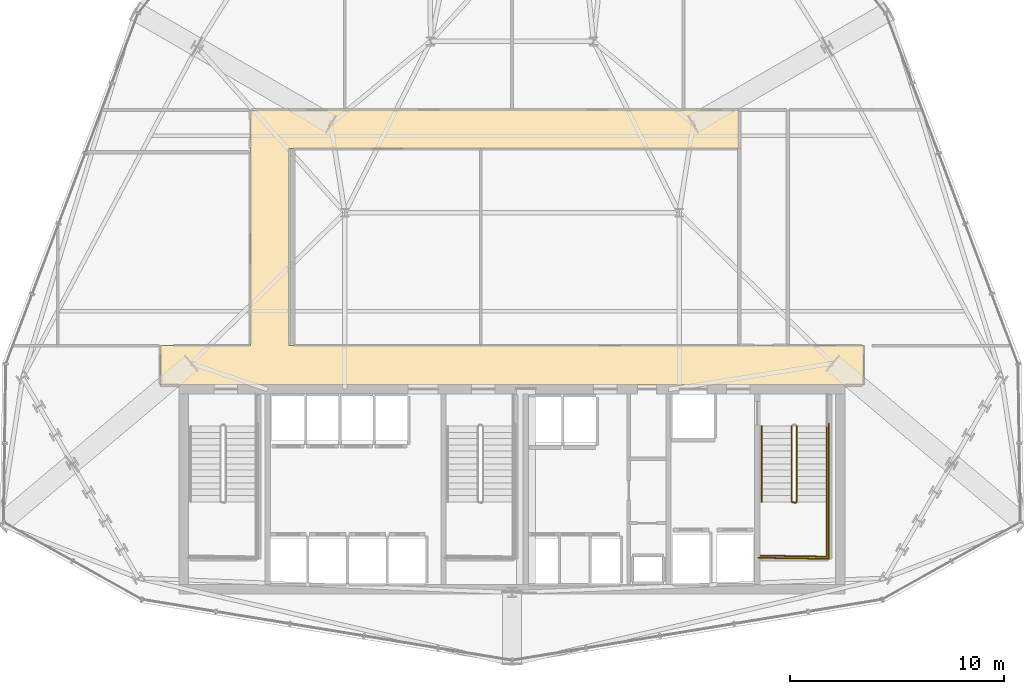
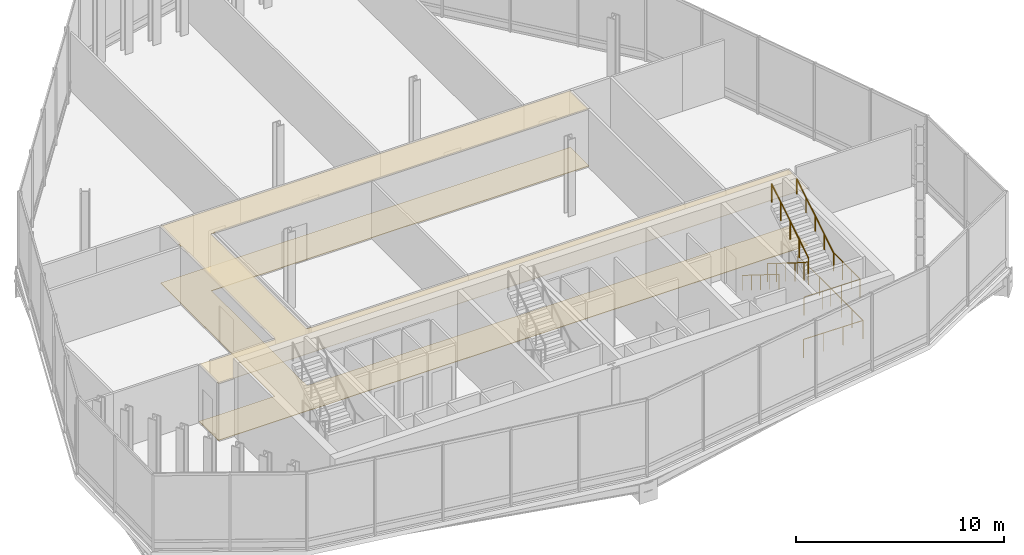
# One storey, part 25 of 26: 6 railings, 2 coverings.
"""IFC4 building model written with IfcOpenShell, lengths in metres."""

from ifc_helpers import new_model, si_unit, direction, frame, origin, origin_2d, place, context, subcontext, project, spatial, polyline, circle, outline, extrude, material, layer, layer_set, type_object, element, save


model = new_model("IFC4")

# Units and contexts
model_context = context("Model", 3, precision=1e-05, world=origin(), true_north=direction((0.0, 1.0)))
body_context = subcontext(model_context, "Body", "Model", "MODEL_VIEW")
ifc_project = project(units=[si_unit("LENGTHUNIT", "METRE"), si_unit("AREAUNIT", "SQUARE_METRE"), si_unit("VOLUMEUNIT", "CUBIC_METRE"), si_unit("PLANEANGLEUNIT", "RADIAN"), si_unit("MASSUNIT", "GRAM", prefix="KILO")], contexts=[model_context])

# Site, building, storey
site_placement = place(None, origin())
site = spatial("IfcSite", under=ifc_project, at=site_placement, CompositionType="ELEMENT")
building_placement = place(site_placement, origin())
building = spatial("IfcBuilding", under=site, at=building_placement, Name="Ndaravel Arena Tower", CompositionType="ELEMENT")
storey_placement = place(building_placement, frame((0.0, 0.0, 117.39990234375)))
storey = spatial("IfcBuildingStorey", under=building, at=storey_placement, Name="L27", CompositionType="ELEMENT", Elevation=117.39990234375)

# Coverings
ifc_material_1 = material(Name="Acoustic Ceiling Tile", Category="finish")
ifc_layer_1 = layer(ifc_material_1, 0.02490234375)
ifc_layer_set_1 = layer_set([ifc_layer_1], Name="Acoustic Ceiling Tile")
covering_type_1 = type_object("IfcCoveringType", Name="COV-CEIL-AC600", PredefinedType="CEILING", material=ifc_layer_set_1)
covering_1_placement = place(storey_placement, frame((0.0, 0.0, 3.360107421875)))
element("IfcCovering", 1, at=covering_1_placement, inside=storey, type_object=covering_type_1, Name="L27 Corridor Acoustic Ceiling", PredefinedType="CEILING", context=body_context, shape_type="SweptSolid", body=[
    extrude(outline(polyline([(58.39990234375, 17.0), (31.60009765625, 17.0), (31.60009765625, 26.199951171875), (52.60009765625, 26.199951171875), (52.60009765625, 28.0), (31.60009765625, 28.0), (29.800048828125, 28.0), (29.800048828125, 26.199951171875), (29.800048828125, 17.0), (25.60009765625, 17.0), (25.60009765625, 15.14990234375), (58.39990234375, 15.14990234375), (58.39990234375, 17.0)])), origin(), (0.0, 0.0, 1.0), 0.02490234375),
])
ifc_material_2 = material(Name="Terrazzo", Category="stone")
ifc_layer_2 = layer(ifc_material_2, 0.030029296875)
ifc_layer_set_2 = layer_set([ifc_layer_2], Name="Terrazzo")
covering_type_2 = type_object("IfcCoveringType", Name="COV-FLOOR-TERRAZZO", PredefinedType="FLOORING", material=ifc_layer_set_2)
covering_2_placement = place(storey_placement, origin())
element("IfcCovering", 2, at=covering_2_placement, inside=storey, type_object=covering_type_2, Name="L27 Corridor Terrazzo Flooring", PredefinedType="FLOORING", context=body_context, shape_type="SweptSolid", body=[
    extrude(outline(polyline([(58.39990234375, 17.0), (31.60009765625, 17.0), (31.60009765625, 26.199951171875), (52.60009765625, 26.199951171875), (52.60009765625, 28.0), (31.60009765625, 28.0), (29.800048828125, 28.0), (29.800048828125, 26.199951171875), (29.800048828125, 17.0), (25.60009765625, 17.0), (25.60009765625, 15.14990234375), (58.39990234375, 15.14990234375), (58.39990234375, 17.0)])), origin(), (0.0, 0.0, 1.0), 0.030029296875),
])

# Railings
ifc_material_3 = material(Name="Steel S355", Category="steel")
ifc_layer_3 = layer(ifc_material_3, 0.06005859375)
ifc_layer_set_3 = layer_set([ifc_layer_3], Name="Steel S355")
railing_type_1 = type_object("IfcRailingType", Name="RAIL-STAIR-GD1100", PredefinedType="GUARDRAIL", material=ifc_layer_set_3)
railing_1_placement = place(storey_placement, frame((55.050048828125, 13.25, 0.184814453125)))
element("IfcRailing", 3, at=railing_1_placement, inside=storey, type_object=railing_type_1, Name="L27 ST-3 stair guard 1", PredefinedType="GUARDRAIL", context=body_context, shape_type="SweptSolid", body=[
    extrude(circle(Radius=0.02392578125, at=origin_2d()), frame((0.0, 0.0, 1.076171875), z_axis=(0.0, -0.847696004112, 0.530482313194), x_axis=(1.0, 0.0, 0.0)), (0.0, 0.0, 1.0), 4.176025390625),
    extrude(circle(Radius=0.02392578125, at=origin_2d()), frame((0.0, -3.5400390625, 3.29150390625), z_axis=(0.966993988697, -0.254799187253, 0.0), x_axis=(0.254799187253, 0.966993988697, 0.0)), (0.0, 0.0, 1.0), 0.196533203125),
    extrude(circle(Radius=0.02099609375, at=origin_2d()), origin(), (0.0, 0.0, 1.0), 1.052001953125),
    extrude(circle(Radius=0.02099609375, at=origin_2d()), frame((0.0, -0.885009765625, 0.5537109375)), (0.0, 0.0, 1.0), 1.052001953125),
    extrude(circle(Radius=0.02099609375, at=origin_2d()), frame((0.0, -1.77001953125, 1.107666015625)), (0.0, 0.0, 1.0), 1.052001953125),
    extrude(circle(Radius=0.02099609375, at=origin_2d()), frame((0.0, -2.655029296875, 1.66162109375)), (0.0, 0.0, 1.0), 1.052001953125),
    extrude(circle(Radius=0.02099609375, at=origin_2d()), frame((0.0, -3.5400390625, 2.21533203125)), (0.0, 0.0, 1.0), 1.052001953125),
    extrude(circle(Radius=0.02099609375, at=origin_2d()), frame((0.18994140625, -3.590087890625, 2.21533203125)), (0.0, 0.0, 1.0), 1.052001953125),
])
railing_2_placement = place(storey_placement, frame((56.68994140625, 9.7099609375, 2.400146484375)))
element("IfcRailing", 4, at=railing_2_placement, inside=storey, type_object=railing_type_1, Name="L27 ST-3 stair guard 2", PredefinedType="GUARDRAIL", context=body_context, shape_type="SweptSolid", body=[
    extrude(circle(Radius=0.02392578125, at=origin_2d()), frame((0.0, 0.0, 1.076171875), z_axis=(0.0, -1.0, 0.0), x_axis=(1.0, 0.0, 0.0)), (0.0, 0.0, 1.0), 2.56005859375),
    extrude(circle(Radius=0.02392578125, at=origin_2d()), frame((0.0, -2.56005859375, 1.076171875), z_axis=(-0.999868840623, 0.016195726322, 0.0), x_axis=(-0.016195726322, -0.999868840623, 0.0)), (0.0, 0.0, 1.0), 3.09033203125),
    extrude(circle(Radius=0.02099609375, at=origin_2d()), origin(), (0.0, 0.0, 1.0), 1.052001953125),
    extrude(circle(Radius=0.02099609375, at=origin_2d()), frame((0.0, -0.853271484375, 0.0)), (0.0, 0.0, 1.0), 1.052001953125),
    extrude(circle(Radius=0.02099609375, at=origin_2d()), frame((0.0, -1.706787109375, 0.0)), (0.0, 0.0, 1.0), 1.052001953125),
    extrude(circle(Radius=0.02099609375, at=origin_2d()), frame((0.0, -2.56005859375, 0.0)), (0.0, 0.0, 1.0), 1.052001953125),
    extrude(circle(Radius=0.02099609375, at=origin_2d()), frame((-1.030029296875, -2.54345703125, 0.0)), (0.0, 0.0, 1.0), 1.052001953125),
    extrude(circle(Radius=0.02099609375, at=origin_2d()), frame((-2.059814453125, -2.526611328125, 0.0)), (0.0, 0.0, 1.0), 1.052001953125),
    extrude(circle(Radius=0.02099609375, at=origin_2d()), frame((-3.08984375, -2.510009765625, 0.0)), (0.0, 0.0, 1.0), 1.052001953125),
])
railing_3_placement = place(storey_placement, frame((55.2900390625, 9.7099609375, 2.584716796875)))
element("IfcRailing", 5, at=railing_3_placement, inside=storey, type_object=railing_type_1, Name="L27 ST-3 stair guard 3", PredefinedType="GUARDRAIL", context=body_context, shape_type="SweptSolid", body=[
    extrude(circle(Radius=0.02392578125, at=origin_2d()), frame((0.0, 0.0, 1.076171875), z_axis=(0.0, 0.847696004112, 0.530482313194), x_axis=(-1.0, 0.0, 0.0)), (0.0, 0.0, 1.0), 4.176025390625),
    extrude(circle(Radius=0.02099609375, at=origin_2d()), origin(), (0.0, 0.0, 1.0), 1.052001953125),
    extrude(circle(Radius=0.02099609375, at=origin_2d()), frame((0.0, 0.885009765625, 0.5537109375)), (0.0, 0.0, 1.0), 1.052001953125),
    extrude(circle(Radius=0.02099609375, at=origin_2d()), frame((0.0, 1.77001953125, 1.107666015625)), (0.0, 0.0, 1.0), 1.052001953125),
    extrude(circle(Radius=0.02099609375, at=origin_2d()), frame((0.0, 2.655029296875, 1.66162109375)), (0.0, 0.0, 1.0), 1.052001953125),
    extrude(circle(Radius=0.02099609375, at=origin_2d()), frame((0.0, 3.5400390625, 2.21533203125)), (0.0, 0.0, 1.0), 1.052001953125),
])
railing_4_placement = place(storey_placement, frame((56.7900390625, 13.35009765625, 0.0)))
element("IfcRailing", 6, at=railing_4_placement, inside=storey, type_object=railing_type_1, Name="L27 ST-3 stair guard 6", PredefinedType="GUARDRAIL", context=body_context, shape_type="SweptSolid", body=[
    extrude(circle(Radius=0.02392578125, at=origin_2d()), frame((0.0, 0.0, 1.076171875), z_axis=(0.0, -1.0, 0.0), x_axis=(1.0, 0.0, 0.0)), (0.0, 0.0, 1.0), 6.300048828125),
    extrude(circle(Radius=0.02392578125, at=origin_2d()), frame((0.0, -6.300048828125, 1.076171875), z_axis=(-0.99988431412, 0.015210469308, 0.0), x_axis=(-0.015210469308, -0.99988431412, 0.0)), (0.0, 0.0, 1.0), 3.29052734375),
    extrude(circle(Radius=0.02099609375, at=origin_2d()), origin(), (0.0, 0.0, 1.0), 1.052001953125),
    extrude(circle(Radius=0.02099609375, at=origin_2d()), frame((0.0, -1.050048828125, 0.0)), (0.0, 0.0, 1.0), 1.052001953125),
    extrude(circle(Radius=0.02099609375, at=origin_2d()), frame((0.0, -2.10009765625, 0.0)), (0.0, 0.0, 1.0), 1.052001953125),
    extrude(circle(Radius=0.02099609375, at=origin_2d()), frame((0.0, -3.14990234375, 0.0)), (0.0, 0.0, 1.0), 1.052001953125),
    extrude(circle(Radius=0.02099609375, at=origin_2d()), frame((0.0, -4.199951171875, 0.0)), (0.0, 0.0, 1.0), 1.052001953125),
    extrude(circle(Radius=0.02099609375, at=origin_2d()), frame((0.0, -5.25, 0.0)), (0.0, 0.0, 1.0), 1.052001953125),
    extrude(circle(Radius=0.02099609375, at=origin_2d()), frame((0.0, -6.300048828125, 0.0)), (0.0, 0.0, 1.0), 1.052001953125),
    extrude(circle(Radius=0.02099609375, at=origin_2d()), frame((-1.0966796875, -6.283447265625, 0.0)), (0.0, 0.0, 1.0), 1.052001953125),
    extrude(circle(Radius=0.02099609375, at=origin_2d()), frame((-2.193359375, -6.2666015625, 0.0)), (0.0, 0.0, 1.0), 1.052001953125),
    extrude(circle(Radius=0.02099609375, at=origin_2d()), frame((-3.2900390625, -6.25, 0.0)), (0.0, 0.0, 1.0), 1.052001953125),
])
ifc_material_4 = material(Name="Steel S355", Category="steel")
ifc_layer_4 = layer(ifc_material_4, 0.050048828125)
ifc_layer_set_4 = layer_set([ifc_layer_4], Name="Steel S355")
railing_type_2 = type_object("IfcRailingType", Name="RAIL-STAIR-HR920", PredefinedType="HANDRAIL", material=ifc_layer_set_4)
railing_5_placement = place(storey_placement, frame((53.64990234375, 13.25, 0.184814453125)))
element("IfcRailing", 7, at=railing_5_placement, inside=storey, type_object=railing_type_2, Name="L27 ST-3 stair handrail 1", PredefinedType="HANDRAIL", context=body_context, shape_type="SweptSolid", body=[
    extrude(circle(Radius=0.02392578125, at=origin_2d()), frame((0.0, 0.0, 0.8759765625), z_axis=(0.0, -0.847696004112, 0.530482313194), x_axis=(1.0, 0.0, 0.0)), (0.0, 0.0, 1.0), 4.176025390625),
    extrude(circle(Radius=0.02099609375, at=origin_2d()), origin(), (0.0, 0.0, 1.0), 0.851806640625),
    extrude(circle(Radius=0.02099609375, at=origin_2d()), frame((0.0, -0.885009765625, 0.5537109375)), (0.0, 0.0, 1.0), 0.851806640625),
    extrude(circle(Radius=0.02099609375, at=origin_2d()), frame((0.0, -1.77001953125, 1.107666015625)), (0.0, 0.0, 1.0), 0.851806640625),
    extrude(circle(Radius=0.02099609375, at=origin_2d()), frame((0.0, -2.655029296875, 1.66162109375)), (0.0, 0.0, 1.0), 0.851806640625),
    extrude(circle(Radius=0.02099609375, at=origin_2d()), frame((0.0, -3.5400390625, 2.21533203125)), (0.0, 0.0, 1.0), 0.851806640625),
])
railing_6_placement = place(storey_placement, frame((56.68994140625, 9.7099609375, 2.584716796875)))
element("IfcRailing", 8, at=railing_6_placement, inside=storey, type_object=railing_type_2, Name="L27 ST-3 stair handrail 2", PredefinedType="HANDRAIL", context=body_context, shape_type="SweptSolid", body=[
    extrude(circle(Radius=0.02392578125, at=origin_2d()), frame((0.0, 0.0, 0.8759765625), z_axis=(0.0, 0.847696004112, 0.530482313194), x_axis=(-1.0, 0.0, 0.0)), (0.0, 0.0, 1.0), 4.176025390625),
    extrude(circle(Radius=0.02099609375, at=origin_2d()), origin(), (0.0, 0.0, 1.0), 0.851806640625),
    extrude(circle(Radius=0.02099609375, at=origin_2d()), frame((0.0, 0.885009765625, 0.5537109375)), (0.0, 0.0, 1.0), 0.851806640625),
    extrude(circle(Radius=0.02099609375, at=origin_2d()), frame((0.0, 1.77001953125, 1.107666015625)), (0.0, 0.0, 1.0), 0.851806640625),
    extrude(circle(Radius=0.02099609375, at=origin_2d()), frame((0.0, 2.655029296875, 1.66162109375)), (0.0, 0.0, 1.0), 0.851806640625),
    extrude(circle(Radius=0.02099609375, at=origin_2d()), frame((0.0, 3.5400390625, 2.21533203125)), (0.0, 0.0, 1.0), 0.851806640625),
])

save(model, "model.ifc")
